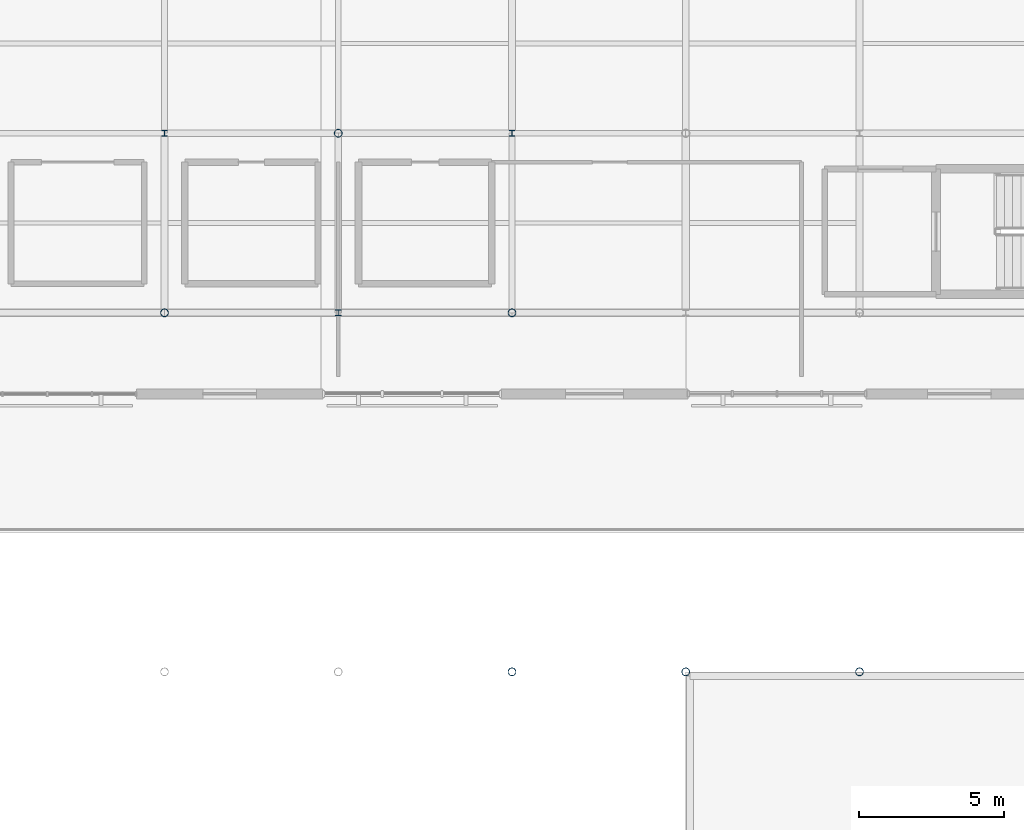
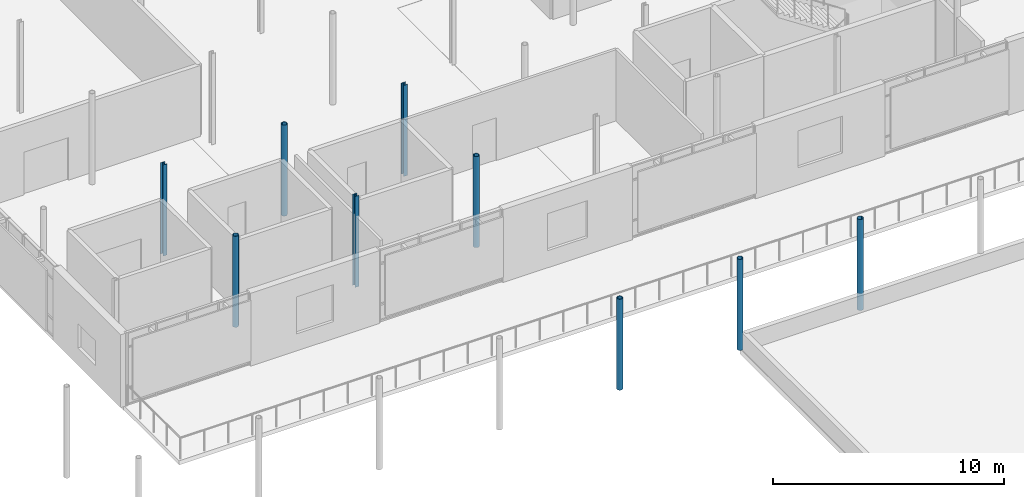
# One storey, part 6 of 66: 9 columns.
"""IFC4 building model written with IfcOpenShell, lengths in metres."""

import ifcopenshell
import ifcopenshell.guid

model = None  # the IFC model being written
_history = None  # IfcOwnerHistory: only IFC2X3 demands one
_inside = {}  # id of a spatial element -> (the spatial element, [elements in it])
_under = {}  # id of a project, library or spatial element -> (it, [spatial elements below it])
_declared = {}  # id of a project -> (the project, [libraries it declares])
_typed = {}  # id of a type object -> (the type object, [elements of that type])
_made_of = {}  # id of a material, layer set ... -> (it, [elements and type objects made of it])


def new_model(schema):
    """Start an empty IFC model of exactly this schema.

    Asked for "IFC4X3", IfcOpenShell would pick the latest addendum, in which some entities
    have other attributes; the version numbers below select the first issue.
    IFC2X3 requires an IfcOwnerHistory on every rooted entity: one is made here for all.
    """
    global model, _history
    if schema == "IFC4X3":
        model = ifcopenshell.file(schema_version=(4, 3, 0, 0))
    else:
        model = ifcopenshell.file(schema=schema)
    _inside.clear()
    _under.clear()
    _declared.clear()
    _typed.clear()
    _made_of.clear()
    _history = None
    if model.schema == "IFC2X3":
        org = make("IfcOrganization", Name="unknown")
        user = make(
            "IfcPersonAndOrganization",
            ThePerson=make("IfcPerson", FamilyName="unknown"),
            TheOrganization=org,
        )
        app = make(
            "IfcApplication",
            ApplicationDeveloper=org,
            Version="unknown",
            ApplicationFullName="unknown",
            ApplicationIdentifier="unknown",
        )
        _history = make(
            "IfcOwnerHistory",
            OwningUser=user,
            OwningApplication=app,
            ChangeAction="ADDED",
            CreationDate=0,
        )
    return model


def make(cls, **values):
    """One entity of the class cls with the attributes given. An attribute that is None is left unset."""
    return model.create_entity(
        cls, **{name: value for name, value in values.items() if value is not None}
    )


def rooted(cls, **values):
    """An entity with a GlobalId (a new one), such as an element, a storey or a relation."""
    return make(cls, GlobalId=ifcopenshell.guid.new(), OwnerHistory=_history, **values)


def si_unit(unit_type, name, prefix=None):
    """IfcSIUnit, for example si_unit("LENGTHUNIT", "METRE", prefix="MILLI")."""
    return make("IfcSIUnit", UnitType=unit_type, Prefix=prefix, Name=name)


def assignment(units):
    """IfcUnitAssignment: the units of a project."""
    return None if units is None else make("IfcUnitAssignment", Units=units)


def point(xyz):
    """IfcCartesianPoint."""
    return None if xyz is None else make("IfcCartesianPoint", Coordinates=xyz)


def direction(xyz):
    """IfcDirection."""
    return None if xyz is None else make("IfcDirection", DirectionRatios=xyz)


def frame(location, z_axis=None, x_axis=None):
    """IfcAxis2Placement3D, a coordinate frame: its origin and axes. An axis left out is left unset."""
    return make(
        "IfcAxis2Placement3D",
        Location=point(location),
        Axis=direction(z_axis),
        RefDirection=direction(x_axis),
    )


def frame_2d(location, x_axis=None):
    """IfcAxis2Placement2D, a coordinate frame in the plane: its origin and x axis."""
    return make(
        "IfcAxis2Placement2D", Location=point(location), RefDirection=direction(x_axis)
    )


def origin():
    """The frame at (0, 0, 0) with its axes left unset."""
    return frame((0.0, 0.0, 0.0))


def origin_2d():
    """The frame at (0, 0) in the plane with its x axis left unset."""
    return frame_2d((0.0, 0.0))


def place(relative_to, where):
    """IfcLocalPlacement: puts the frame where relative to a parent placement (None: the world)."""
    return make(
        "IfcLocalPlacement", PlacementRelTo=relative_to, RelativePlacement=where
    )


def context(
    kind, dimensions, precision=None, world=None, true_north=None, identifier=None
):
    """IfcGeometricRepresentationContext, for example the 3D "Model" context."""
    return make(
        "IfcGeometricRepresentationContext",
        ContextIdentifier=identifier,
        ContextType=kind,
        CoordinateSpaceDimension=dimensions,
        Precision=precision,
        WorldCoordinateSystem=world,
        TrueNorth=true_north,
    )


def subcontext(parent, identifier, kind, view, scale=None):
    """IfcGeometricRepresentationSubContext, for example "Body" below "Model"."""
    return make(
        "IfcGeometricRepresentationSubContext",
        ContextIdentifier=identifier,
        ContextType=kind,
        ParentContext=parent,
        TargetScale=scale,
        TargetView=view,
    )


def project(units=None, contexts=None):
    """IfcProject with its units and contexts."""
    return rooted(
        "IfcProject",
        Name="project",
        RepresentationContexts=contexts,
        UnitsInContext=assignment(units),
    )


def spatial(cls, under=None, at=None, **own):
    """A site, building, storey or space (cls), placed at a placement, below another one or the project."""
    s = rooted(cls, ObjectPlacement=at, **own)
    if under is not None:
        _under.setdefault(under.id(), (under, []))[1].append(s)
    return s


def profile(cls, at=None, kind="AREA", **sizes):
    """A parametric profile (cls). Its sizes go by their IFC names, for example OverallWidth=200.0."""
    return make(cls, ProfileType=kind, Position=at, **sizes)


def hollow_circle(**sizes):
    """IfcCircleHollowProfileDef."""
    return profile("IfcCircleHollowProfileDef", **sizes)


def i_section(**sizes):
    """IfcIShapeProfileDef."""
    return profile("IfcIShapeProfileDef", **sizes)


def extrude(swept, where, along, depth):
    """IfcExtrudedAreaSolid: the profile swept, set in the frame where, extruded along a direction by depth."""
    return make(
        "IfcExtrudedAreaSolid",
        SweptArea=swept,
        Position=where,
        ExtrudedDirection=direction(along),
        Depth=depth,
    )


def shape(context_of_items, identifier, shape_type, items):
    """IfcShapeRepresentation: the items that make up one representation, for example the "Body"."""
    return make(
        "IfcShapeRepresentation",
        ContextOfItems=context_of_items,
        RepresentationIdentifier=identifier,
        RepresentationType=shape_type,
        Items=items,
    )


def material(Name=None, Category=None):
    """IfcMaterial."""
    return make("IfcMaterial", Name=Name, Category=Category)


def material_profile(
    of_material, cross_section, Name=None, Category=None, Priority=None
):
    """IfcMaterialProfile: a cross section and its material."""
    return make(
        "IfcMaterialProfile",
        Name=Name,
        Material=of_material,
        Profile=cross_section,
        Priority=Priority,
        Category=Category,
    )


def profile_set(profiles, Name=None, composite=None):
    """IfcMaterialProfileSet."""
    return make(
        "IfcMaterialProfileSet",
        Name=Name,
        MaterialProfiles=profiles,
        CompositeProfile=composite,
    )


def made_of(thing, what):
    """Note that an element or type object is made of a material, layer set ...; save() writes the relation."""
    if what is not None:
        _made_of.setdefault(what.id(), (what, []))[1].append(thing)
    return thing


def type_object(cls, material=None, **own):
    """A type object (cls), such as IfcWallType, which elements share."""
    return made_of(rooted(cls, **own), material)


def element(
    cls,
    number,
    at=None,
    inside=None,
    cuts=None,
    type_object=None,
    material=None,
    context=None,
    identifier="Body",
    shape_type=None,
    held_by="IfcProductDefinitionShape",
    body=None,
    shapes=None,
    **own,
):
    """One element of the class cls, such as IfcWall. Its Tag is "e" and its number.

    at: its placement. inside: the storey or other place that contains it. cuts: it is an
    opening in that element (IfcRelVoidsElement). A single representation is given by context,
    identifier, shape_type and body (its items); several are given by shapes. held_by: the class
    of the entity that holds the representations. save() writes the other relations.
    """
    e = rooted(cls, Tag="e%d" % number, ObjectPlacement=at, **own)
    if body is not None:
        shapes = [shape(context, identifier, shape_type, body)]
    if shapes is not None:
        e.Representation = make(held_by, Representations=shapes)
    if inside is not None:
        _inside.setdefault(inside.id(), (inside, []))[1].append(e)
    if cuts is not None:
        rooted(
            "IfcRelVoidsElement", RelatingBuildingElement=cuts, RelatedOpeningElement=e
        )
    if type_object is not None:
        _typed.setdefault(type_object.id(), (type_object, []))[1].append(e)
    return made_of(e, material)


def aggregate(whole, parts):
    """IfcRelAggregates: a whole, such as a stair, and the parts it consists of."""
    return rooted("IfcRelAggregates", RelatingObject=whole, RelatedObjects=parts)


def save(model, path):
    """Write the relations noted so far, then the file.

    IfcRelAggregates (storeys below a building ...), IfcRelContainedInSpatialStructure (elements
    in a storey), IfcRelDefinesByType, IfcRelAssociatesMaterial and IfcRelDeclares: one each for
    every whole, place, type object, material and project.
    """
    for whole, parts in _under.values():
        aggregate(whole, parts)
    for where, things in _inside.values():
        rooted(
            "IfcRelContainedInSpatialStructure",
            RelatedElements=things,
            RelatingStructure=where,
        )
    for kind, things in _typed.values():
        rooted("IfcRelDefinesByType", RelatedObjects=things, RelatingType=kind)
    for what, things in _made_of.values():
        rooted("IfcRelAssociatesMaterial", RelatedObjects=things, RelatingMaterial=what)
    for by, libraries in _declared.values():
        rooted("IfcRelDeclares", RelatingContext=by, RelatedDefinitions=libraries)
    model.write(path)


model = new_model("IFC4")

# Units and contexts
model_context = context("Model", 3, precision=1e-05, world=origin(), true_north=direction((0.0, 1.0)))
body_context = subcontext(model_context, "Body", "Model", "MODEL_VIEW")
ifc_project = project(units=[si_unit("LENGTHUNIT", "METRE"), si_unit("AREAUNIT", "SQUARE_METRE"), si_unit("VOLUMEUNIT", "CUBIC_METRE"), si_unit("PLANEANGLEUNIT", "RADIAN"), si_unit("MASSUNIT", "GRAM", prefix="KILO")], contexts=[model_context])

# Site, building, storey
site_placement = place(None, origin())
site = spatial("IfcSite", under=ifc_project, at=site_placement, CompositionType="ELEMENT")
building_placement = place(site_placement, origin())
building = spatial("IfcBuilding", under=site, at=building_placement, Name="Mirzam Square Science Centre", CompositionType="ELEMENT")
storey_placement = place(building_placement, frame((0.0, 0.0, 15.60009765625)))
storey = spatial("IfcBuildingStorey", under=building, at=storey_placement, Name="L03", CompositionType="ELEMENT", Elevation=15.60009765625)

# Columns
ifc_material = material(Name="Steel S355", Category="steel")
ifc_material_profile_1 = material_profile(ifc_material, hollow_circle(Radius=0.136474609375, WallThickness=0.010009765625, at=origin_2d()), Name="273.0x10.0CHS")
ifc_profile_set_1 = profile_set([ifc_material_profile_1], Name="Steel S355")
column_type_1 = type_object("IfcColumnType", Name="COL-CHS273", PredefinedType="COLUMN", material=ifc_profile_set_1)
for number, where, z_axis, x_axis, name in (
    (1, (114.0, 49.60009765625, 0.0), (0.0, 0.0, 1.0), (1.0, 0.0, 0.0), "L03 column G20-09"),
    (2, (120.0, 55.800048828125, 0.0), (0.0, 0.0, 1.0), (1.0, 0.0, 0.0), "L03 column G21-10"),
    (3, (126.0, 37.199951171875, 0.0), (0.0, 0.0, 1.0), (1.0, 0.0, 0.0), "L03 column G22-07"),
    (4, (126.0, 49.60009765625, 0.0), (0.0, 0.0, 1.0), (1.0, 0.0, 0.0), "L03 column G22-09"),
    (5, (132.0, 37.199951171875, 0.0), (0.0, 0.0, 1.0), (1.0, 0.0, 0.0), "L03 column G23-07"),
    (6, (138.0, 37.199951171875, 0.0), (0.0, 0.0, 1.0), (1.0, 0.0, 0.0), "L03 column G24-07"),
):
    element("IfcColumn", number, at=place(storey_placement, frame(where, z_axis=z_axis, x_axis=x_axis)), inside=storey, type_object=column_type_1, Name=name, PredefinedType="COLUMN", context=body_context, shape_type="SweptSolid", body=[
        extrude(hollow_circle(Radius=0.136474609375, WallThickness=0.010009765625, at=origin_2d()), origin(), (0.0, 0.0, 1.0), 4.7998046875),
    ])
ifc_material_profile_2 = material_profile(ifc_material, i_section(OverallWidth=0.205810546875, OverallDepth=0.209716796875, WebThickness=0.009521484375, FlangeThickness=0.01416015625, FilletRadius=0.01025390625, at=origin_2d()), Name="203x203x60UC")
ifc_profile_set_2 = profile_set([ifc_material_profile_2], Name="Steel S355")
column_type_2 = type_object("IfcColumnType", Name="COL-UC203A", PredefinedType="COLUMN", material=ifc_profile_set_2)
for number, where, z_axis, x_axis, name in (
    (7, (114.0, 55.800048828125, 0.0), (0.0, 0.0, 1.0), (1.0, 0.0, 0.0), "L03 column G20-10"),
    (8, (120.0, 49.60009765625, 0.0), (0.0, 0.0, 1.0), (1.0, 0.0, 0.0), "L03 column G21-09"),
    (9, (126.0, 55.800048828125, 0.0), (0.0, 0.0, 1.0), (1.0, 0.0, 0.0), "L03 column G22-10"),
):
    element("IfcColumn", number, at=place(storey_placement, frame(where, z_axis=z_axis, x_axis=x_axis)), inside=storey, type_object=column_type_2, Name=name, PredefinedType="COLUMN", context=body_context, shape_type="SweptSolid", body=[
        extrude(i_section(OverallWidth=0.205810546875, OverallDepth=0.209716796875, WebThickness=0.009521484375, FlangeThickness=0.01416015625, FilletRadius=0.01025390625, at=origin_2d()), origin(), (0.0, 0.0, 1.0), 4.7998046875),
    ])

save(model, "model.ifc")
